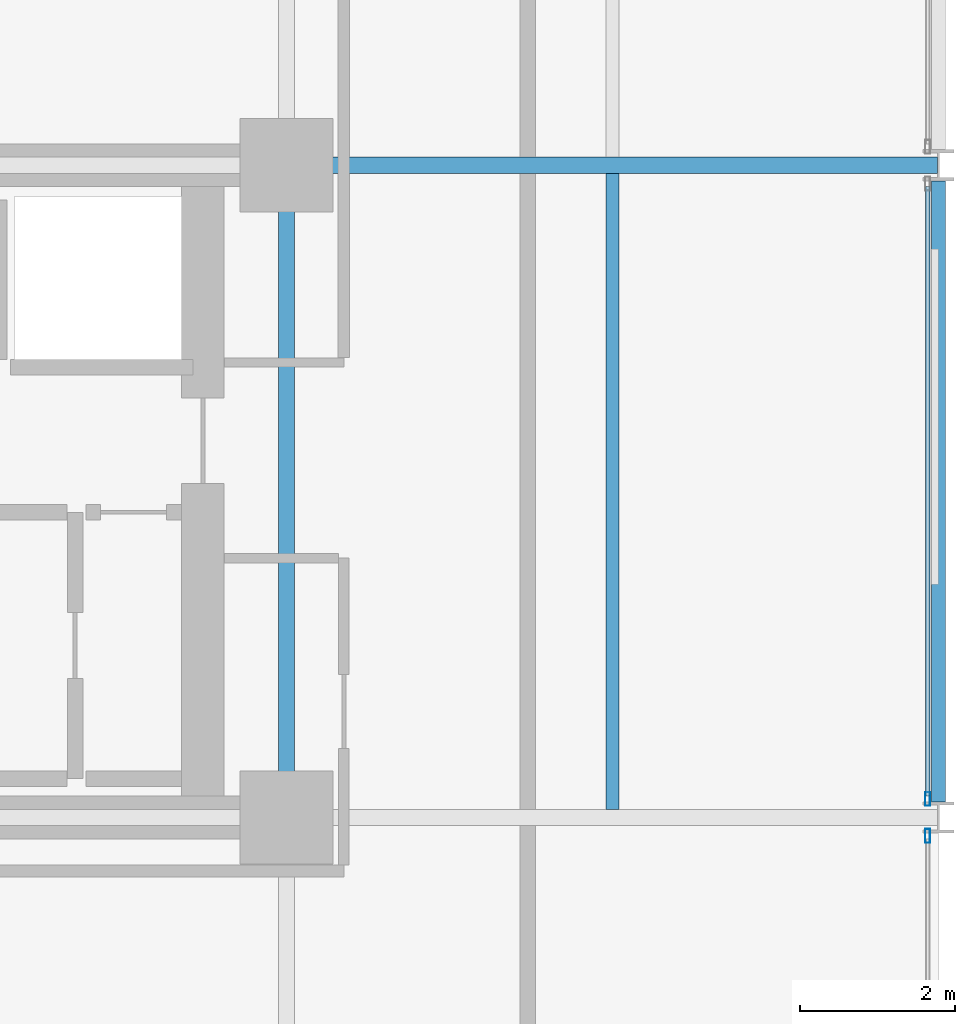
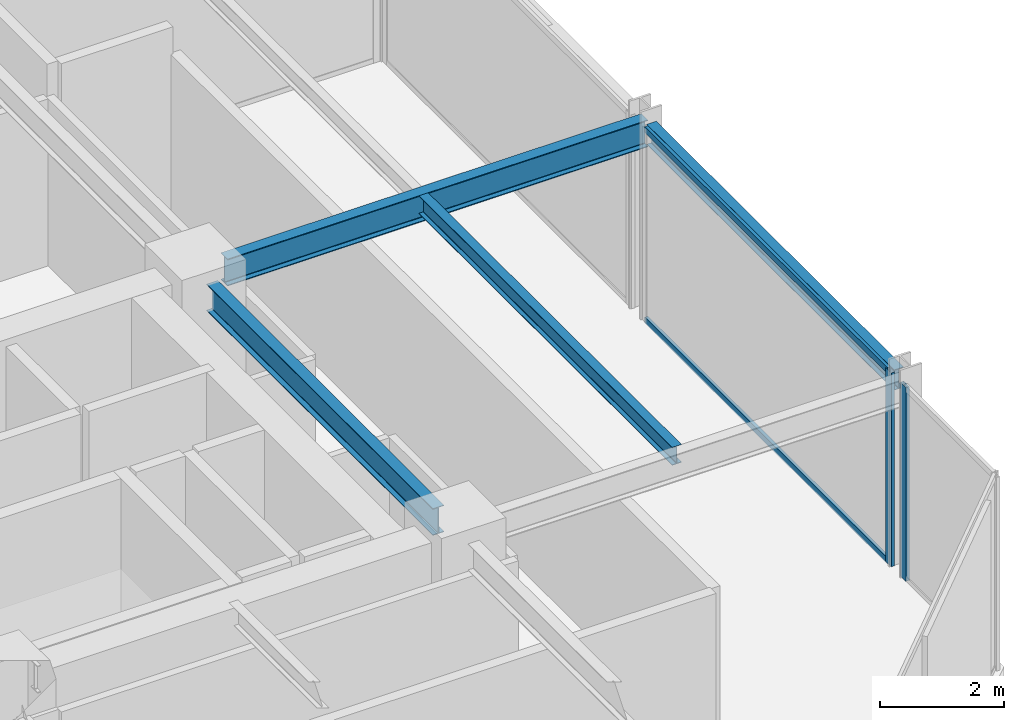
# One storey, part 14 of 29: 4 beams, 4 members, 2 elements without a shape of their own.
"""IFC4 building model written with IfcOpenShell, lengths in metres."""

from ifc_helpers import new_model, si_unit, direction, frame, origin, origin_2d, place, context, subcontext, project, spatial, hollow_rectangle, i_section, extrude, material, layer, layer_set, material_profile, profile_set, type_object, element, aggregate, save


model = new_model("IFC4")

# Units and contexts
model_context = context("Model", 3, precision=1e-05, world=origin(), true_north=direction((0.0, 1.0)))
body_context = subcontext(model_context, "Body", "Model", "MODEL_VIEW")
ifc_project = project(units=[si_unit("LENGTHUNIT", "METRE"), si_unit("AREAUNIT", "SQUARE_METRE"), si_unit("VOLUMEUNIT", "CUBIC_METRE"), si_unit("PLANEANGLEUNIT", "RADIAN"), si_unit("MASSUNIT", "GRAM", prefix="KILO")], contexts=[model_context])

# Site, building, storey
site_placement = place(None, origin())
site = spatial("IfcSite", under=ifc_project, at=site_placement, CompositionType="ELEMENT")
building_placement = place(site_placement, origin())
building = spatial("IfcBuilding", under=site, at=building_placement, Name="Nerrivon Quay Data Exchange", CompositionType="ELEMENT")
storey_placement = place(building_placement, frame((0.0, 0.0, 133.60009765625)))
storey = spatial("IfcBuildingStorey", under=building, at=storey_placement, Name="L31", CompositionType="ELEMENT", Elevation=133.60009765625)

# Beams
ifc_material_1 = material(Name="Steel Grade 350", Category="steel")
ifc_material_profile_1 = material_profile(ifc_material_1, i_section(OverallWidth=0.208984375, OverallDepth=0.532958984375, WebThickness=0.01025390625, FlangeThickness=0.015625, FilletRadius=0.013916015625, at=origin_2d()), Name="530UB92.4")
ifc_profile_set_1 = profile_set([ifc_material_profile_1], Name="Steel Grade 350")
beam_type_1 = type_object("IfcBeamType", Name="BM-G3-530UB92", PredefinedType="BEAM", material=ifc_profile_set_1)
beam_1_placement = place(storey_placement, frame((34.139892578125, 16.800048828125, 3.558349609375), z_axis=(1.0, 0.0, 0.0), x_axis=(0.0, 1.0, 0.0)))
element("IfcBeam", 1, at=beam_1_placement, inside=storey, type_object=beam_type_1, Name="L31 EW Girder Y=16.8 (33.6..42.0)", PredefinedType="BEAM", context=body_context, shape_type="SweptSolid", body=[
    extrude(i_section(OverallWidth=0.208984375, OverallDepth=0.532958984375, WebThickness=0.01025390625, FlangeThickness=0.015625, FilletRadius=0.013916015625, at=origin_2d()), origin(), (0.0, 0.0, 1.0), 7.84765625),
])
ifc_material_profile_2 = material_profile(ifc_material_1, i_section(OverallWidth=0.208984375, OverallDepth=0.528076171875, WebThickness=0.009521484375, FlangeThickness=0.01318359375, FilletRadius=0.013916015625, at=origin_2d()), Name="530UB82.0")
ifc_profile_set_2 = profile_set([ifc_material_profile_2], Name="Steel Grade 350")
beam_type_2 = type_object("IfcBeamType", Name="BM-G4-530UB82", PredefinedType="BEAM", material=ifc_profile_set_2)
beam_2_placement = place(storey_placement, frame((33.60009765625, 8.93994140625, 3.560791015625), z_axis=(0.0, 1.0, 0.0), x_axis=(-1.0, 0.0, 0.0)))
element("IfcBeam", 2, at=beam_2_placement, inside=storey, type_object=beam_type_2, Name="L31 NS Girder X=33.6 (8.4..16.8)", PredefinedType="BEAM", context=body_context, shape_type="SweptSolid", body=[
    extrude(i_section(OverallWidth=0.208984375, OverallDepth=0.528076171875, WebThickness=0.009521484375, FlangeThickness=0.01318359375, FilletRadius=0.013916015625, at=origin_2d()), origin(), (0.0, 0.0, 1.0), 7.320068359375),
])
ifc_material_profile_3 = material_profile(ifc_material_1, i_section(OverallWidth=0.1708984375, OverallDepth=0.35595703125, WebThickness=0.00732421875, FlangeThickness=0.011474609375, FilletRadius=0.011474609375, at=origin_2d()), Name="360UB50.7")
ifc_profile_set_3 = profile_set([ifc_material_profile_3], Name="Steel Grade 350")
beam_type_3 = type_object("IfcBeamType", Name="BM-J4-360UB51", PredefinedType="JOIST", material=ifc_profile_set_3)
beam_3_placement = place(storey_placement, frame((37.800048828125, 8.50439453125, 3.64697265625), z_axis=(0.0, 1.0, 0.0), x_axis=(-1.0, 0.0, 0.0)))
element("IfcBeam", 3, at=beam_3_placement, inside=storey, type_object=beam_type_3, Name="L31 Secondary Joist X=37.8 (8.4..16.8)", PredefinedType="JOIST", context=body_context, shape_type="SweptSolid", body=[
    extrude(i_section(OverallWidth=0.1708984375, OverallDepth=0.35595703125, WebThickness=0.00732421875, FlangeThickness=0.011474609375, FilletRadius=0.011474609375, at=origin_2d()), origin(), (0.0, 0.0, 1.0), 8.191162109375),
])
ifc_material_profile_4 = material_profile(ifc_material_1, i_section(OverallWidth=0.177978515625, OverallDepth=0.403076171875, WebThickness=0.007568359375, FlangeThickness=0.010986328125, FilletRadius=0.011474609375, at=origin_2d()), Name="410UB53.7")
ifc_profile_set_4 = profile_set([ifc_material_profile_4], Name="Steel Grade 350")
beam_type_4 = type_object("IfcBeamType", Name="BM-SP2-410UB54", PredefinedType="SPANDREL", material=ifc_profile_set_4)
beam_4_placement = place(storey_placement, frame((42.0, 8.60009765625, 3.623291015625), z_axis=(0.0, 1.0, 0.0), x_axis=(-1.0, 0.0, 0.0)))
element("IfcBeam", 4, at=beam_4_placement, inside=storey, type_object=beam_type_4, Name="L31 NS Girder X=42.0 (8.4..16.8)", PredefinedType="SPANDREL", context=body_context, shape_type="SweptSolid", body=[
    extrude(i_section(OverallWidth=0.177978515625, OverallDepth=0.403076171875, WebThickness=0.007568359375, FlangeThickness=0.010986328125, FilletRadius=0.011474609375, at=origin_2d()), origin(), (0.0, 0.0, 1.0), 8.0),
])

# Curtain wall, member
ifc_material_2 = material(Name="Anodised aluminium 6063-T6", Category="aluminium")
ifc_layer = layer(ifc_material_2, 0.2099609375)
ifc_layer_set = layer_set([ifc_layer], Name="Anodised aluminium 6063-T6")
curtain_wall_type = type_object("IfcCurtainWallType", Name="CW-SYS-02", PredefinedType="NOTDEFINED", material=ifc_layer_set)
curtain_wall_1_placement = place(storey_placement, origin())
curtain_wall_1 = element("IfcCurtainWall", 5, at=curtain_wall_1_placement, inside=storey, type_object=curtain_wall_type, Name="L31 Unitised Curtain Wall 29", PredefinedType="NOTDEFINED")
ifc_material_profile_5 = material_profile(ifc_material_2, hollow_rectangle(XDim=0.06494140625, YDim=0.179931640625, WallThickness=0.00341796875, at=origin_2d()), Name="ALU-MULL-180x65")
ifc_profile_set_5 = profile_set([ifc_material_profile_5], Name="Anodised aluminium 6063-T6")
member_type_1 = type_object("IfcMemberType", Name="CWM-180x65", PredefinedType="MULLION", material=ifc_profile_set_5)
member_1_placement = place(storey_placement, frame((41.860107421875, 8.637451171875, 0.0), z_axis=(0.0, 0.0, 1.0), x_axis=(1.0, 0.0, 0.0)))
member_1 = element("IfcMember", 6, at=member_1_placement, type_object=member_type_1, Name="CW02 mullion 2", PredefinedType="MULLION", context=body_context, shape_type="SweptSolid", body=[
    extrude(hollow_rectangle(XDim=0.06494140625, YDim=0.179931640625, WallThickness=0.00341796875, at=origin_2d()), origin(), (0.0, 0.0, 1.0), 3.824951171875),
])

curtain_wall_2_placement = place(storey_placement, origin())
curtain_wall_2 = element("IfcCurtainWall", 7, at=curtain_wall_2_placement, inside=storey, type_object=curtain_wall_type, Name="L31 Unitised Curtain Wall 30", PredefinedType="NOTDEFINED")
member_2_placement = place(storey_placement, frame((41.860107421875, 8.16259765625, 0.0), z_axis=(0.0, 0.0, 1.0), x_axis=(1.0, 0.0, 0.0)))
member_2 = element("IfcMember", 8, at=member_2_placement, type_object=member_type_1, Name="CW02 mullion 1", PredefinedType="MULLION", context=body_context, shape_type="SweptSolid", body=[
    extrude(hollow_rectangle(XDim=0.06494140625, YDim=0.179931640625, WallThickness=0.00341796875, at=origin_2d()), origin(), (0.0, 0.0, 1.0), 3.824951171875),
])
aggregate(curtain_wall_2, [member_2])

# Member
ifc_material_profile_6 = material_profile(ifc_material_2, hollow_rectangle(XDim=0.06005859375, YDim=0.1201171875, WallThickness=0.003173828125, at=origin_2d()), Name="ALU-TRAN-120x60")
ifc_profile_set_6 = profile_set([ifc_material_profile_6], Name="Anodised aluminium 6063-T6")
member_type_2 = type_object("IfcMemberType", Name="CWT-120x60", PredefinedType="USERDEFINED", material=ifc_profile_set_6)
member_3_placement = place(storey_placement, frame((41.860107421875, 16.52490234375, 0.032470703125), z_axis=(0.0, -1.0, 0.0), x_axis=(1.0, 0.0, 0.0)))
member_3 = element("IfcMember", 9, at=member_3_placement, type_object=member_type_2, Name="CW02 transom 1.1", ObjectType="TRANSOM", PredefinedType="USERDEFINED", context=body_context, shape_type="SweptSolid", body=[
    extrude(hollow_rectangle(XDim=0.06005859375, YDim=0.1201171875, WallThickness=0.003173828125, at=origin_2d()), origin(), (0.0, 0.0, 1.0), 7.849853515625),
])

member_4_placement = place(storey_placement, frame((41.860107421875, 16.52490234375, 3.79248046875), z_axis=(0.0, -1.0, 0.0), x_axis=(1.0, 0.0, 0.0)))
member_4 = element("IfcMember", 10, at=member_4_placement, type_object=member_type_2, Name="CW02 transom 1.2", ObjectType="TRANSOM", PredefinedType="USERDEFINED", context=body_context, shape_type="SweptSolid", body=[
    extrude(hollow_rectangle(XDim=0.06005859375, YDim=0.1201171875, WallThickness=0.003173828125, at=origin_2d()), origin(), (0.0, 0.0, 1.0), 7.849853515625),
])

aggregate(curtain_wall_1, [member_1, member_3, member_4])

save(model, "model.ifc")
